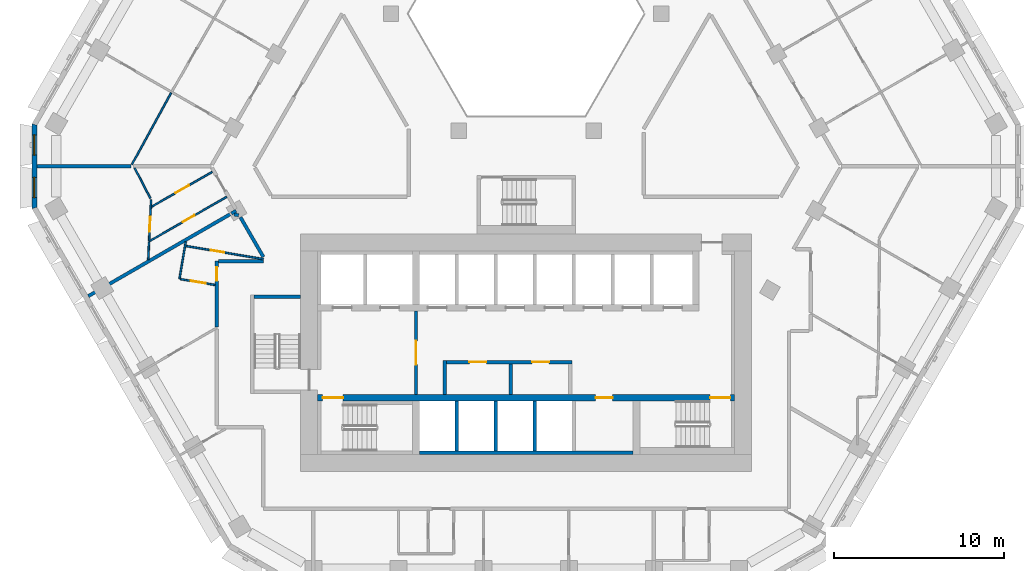
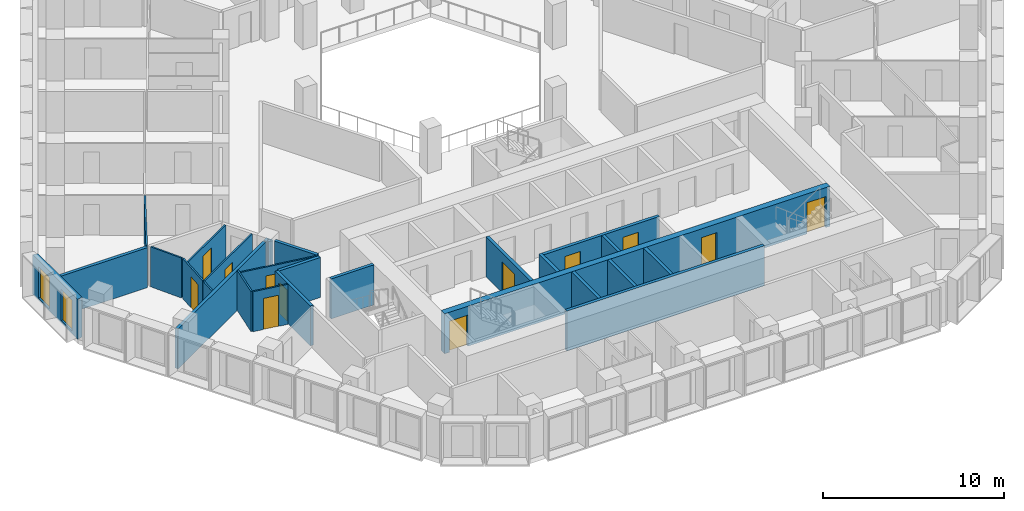
# One storey, part 4 of 18: 27 walls, 12 doors, 2 windows, 14 openings.
"""IFC4 building model written with IfcOpenShell, lengths in metres."""

from ifc_helpers import new_model, si_unit, direction, frame, frame_2d, origin, place, context, subcontext, project, spatial, polyline, rectangle, outline, extrude, material, layer, layer_set, type_object, element, fill, save


model = new_model("IFC4")

# Units and contexts
model_context = context("Model", 3, precision=1e-05, world=origin(), true_north=direction((0.0, 1.0)))
body_context = subcontext(model_context, "Body", "Model", "MODEL_VIEW")
ifc_project = project(units=[si_unit("LENGTHUNIT", "METRE"), si_unit("AREAUNIT", "SQUARE_METRE"), si_unit("VOLUMEUNIT", "CUBIC_METRE"), si_unit("PLANEANGLEUNIT", "RADIAN"), si_unit("MASSUNIT", "GRAM", prefix="KILO")], contexts=[model_context])

# Site, building, storey
site_placement = place(None, origin())
site = spatial("IfcSite", under=ifc_project, at=site_placement, CompositionType="ELEMENT")
building_placement = place(site_placement, origin())
building = spatial("IfcBuilding", under=site, at=building_placement, Name="Beryl Residences", CompositionType="ELEMENT")
storey_placement = place(building_placement, frame((0.0, 0.0, 99.0)))
storey = spatial("IfcBuildingStorey", under=building, at=storey_placement, Name="L30", CompositionType="ELEMENT", Elevation=99.0)

# Wall, openings, windows
ifc_material_1 = material(Name="Composite metal panel with mineral wool insulation")
ifc_layer_1 = layer(ifc_material_1, 0.300048828125)
ifc_layer_set_1 = layer_set([ifc_layer_1], Name="ES1 pale metal composite panel wall 300 mm")
wall_type_1 = type_object("IfcWallType", Name="ES1 pale metal composite panel wall 300 mm", PredefinedType="SOLIDWALL", material=ifc_layer_set_1)
wall_1_placement = place(storey_placement, frame((-29.007080078125, 1.5, 0.0), z_axis=(0.0, 0.0, 1.0), x_axis=(0.0, -1.0, 0.0)))
wall_1 = element("IfcWall", 1, at=wall_1_placement, inside=storey, type_object=wall_type_1, Name="ES1 external wall L30 NW-SW", PredefinedType="SOLIDWALL", context=body_context, shape_type="SweptSolid", body=[
    extrude(outline(polyline([(0.0, -0.14990234375), (5.0, -0.14990234375), (4.919677734375, 0.14990234375), (0.080322265625, 0.14990234375), (0.0, -0.14990234375)])), origin(), (0.0, 0.0, 1.0), 2.699951171875),
])
opening_1_placement = place(wall_1_placement, frame((0.64990234375, 0.0, 0.14990234375)))
opening_1 = element("IfcOpeningElement", 2, at=opening_1_placement, cuts=wall_1, Name="Opening W2", PredefinedType="OPENING", context=body_context, shape_type="SweptSolid", body=[
    extrude(rectangle(XDim=1.199951171875, YDim=2.10009765625, at=frame_2d((0.60009765625, 1.050048828125))), frame((0.0, 0.159912109375, 0.0), z_axis=(0.0, -1.0, 0.0), x_axis=(1.0, 0.0, 0.0)), (0.0, 0.0, 1.0), 0.320068359375),
])
opening_2_placement = place(wall_1_placement, frame((3.14990234375, 0.0, 0.14990234375)))
opening_2 = element("IfcOpeningElement", 3, at=opening_2_placement, cuts=wall_1, Name="Opening W2", PredefinedType="OPENING", context=body_context, shape_type="SweptSolid", body=[
    extrude(rectangle(XDim=1.199951171875, YDim=2.10009765625, at=frame_2d((0.60009765625, 1.050048828125))), frame((0.0, 0.159912109375, 0.0), z_axis=(0.0, -1.0, 0.0), x_axis=(1.0, 0.0, 0.0)), (0.0, 0.0, 1.0), 0.320068359375),
])
ifc_material_2 = material(Name="Aluminium and clear glass", Category="aluminium")
window_type = type_object("IfcWindowType", Name="W2 chamfer window 1200 x 2100 mm", PartitioningType="SINGLE_PANEL", PredefinedType="WINDOW", material=ifc_material_2)
window_1_placement = place(opening_1_placement, origin())
window_1 = element("IfcWindow", 4, at=window_1_placement, inside=storey, type_object=window_type, Name="W2 window L30 NW-SW 1", OverallHeight=2.10009765625, OverallWidth=1.199951171875, PartitioningType="SINGLE_PANEL", PredefinedType="WINDOW", context=body_context, shape_type="SweptSolid", body=[
    extrude(rectangle(XDim=1.199951171875, YDim=2.10009765625, at=frame_2d((0.60009765625, 1.050048828125))), frame((0.0, 0.030029296875, 0.0), z_axis=(0.0, -1.0, 0.0), x_axis=(1.0, 0.0, 0.0)), (0.0, 0.0, 1.0), 0.06005859375),
])
fill(opening_1, window_1)
window_2_placement = place(opening_2_placement, origin())
window_2 = element("IfcWindow", 5, at=window_2_placement, inside=storey, type_object=window_type, Name="W2 window L30 NW-SW 2", OverallHeight=2.10009765625, OverallWidth=1.199951171875, PartitioningType="SINGLE_PANEL", PredefinedType="WINDOW", context=body_context, shape_type="SweptSolid", body=[
    extrude(rectangle(XDim=1.199951171875, YDim=2.10009765625, at=frame_2d((0.60009765625, 1.050048828125))), frame((0.0, 0.030029296875, 0.0), z_axis=(0.0, -1.0, 0.0), x_axis=(1.0, 0.0, 0.0)), (0.0, 0.0, 1.0), 0.06005859375),
])
fill(opening_2, window_2)

# Wall
ifc_material_3 = material(Name="Gypsum board partition on steel studs", Category="steel")
ifc_layer_2 = layer(ifc_material_3, 0.10009765625)
ifc_layer_set_2 = layer_set([ifc_layer_2], Name="PT1 partition 100 mm gypsum board on steel studs")
wall_type_2 = type_object("IfcWallType", Name="PT1 partition 100 mm gypsum board on steel studs", PredefinedType="PARTITIONING", material=ifc_layer_set_2)
wall_2_placement = place(storey_placement, frame((-23.093017578125, -1.10107421875, 0.0), z_axis=(0.0, 0.0, 1.0), x_axis=(0.459171814268, -0.888347479865, 0.0)))
element("IfcWall", 6, at=wall_2_placement, inside=storey, type_object=wall_type_2, Name="Wall PT1 L30 006", PredefinedType="PARTITIONING", context=body_context, shape_type="SweptSolid", body=[
    extrude(rectangle(XDim=2.01025390625, YDim=0.10009765625, at=frame_2d((1.005126953125, 0.0))), origin(), (0.0, 0.0, 1.0), 2.699951171875),
])

# Wall, opening, door
wall_3_placement = place(storey_placement, frame((-20.071044921875, -5.7041015625, 0.0), z_axis=(0.0, 0.0, 1.0), x_axis=(0.985933263306, -0.16713946364, 0.0)))
wall_3 = element("IfcWall", 7, at=wall_3_placement, inside=storey, type_object=wall_type_2, Name="Wall PT1 L30 013", PredefinedType="PARTITIONING", context=body_context, shape_type="SweptSolid", body=[
    extrude(rectangle(XDim=4.63623046875, YDim=0.10009765625, at=frame_2d((2.318115234375, 0.0))), origin(), (0.0, 0.0, 1.0), 2.699951171875),
])
opening_3_placement = place(wall_3_placement, frame((1.492919921875, 0.0, 0.0)))
opening_3 = element("IfcOpeningElement", 8, at=opening_3_placement, cuts=wall_3, Name="Opening D0702", PredefinedType="OPENING", context=body_context, shape_type="SweptSolid", body=[
    extrude(rectangle(XDim=0.800048828125, YDim=2.10009765625, at=frame_2d((0.39990234375, 1.050048828125))), frame((0.0, 0.06005859375, 0.0), z_axis=(0.0, -1.0, 0.0), x_axis=(1.0, 0.0, 0.0)), (0.0, 0.0, 1.0), 0.1201171875),
])
ifc_material_4 = material(Name="Timber door leaf", Category="wood")
door_type_1 = type_object("IfcDoorType", Name="D3 bathroom door 800 x 2100 mm", OperationType="SINGLE_SWING_LEFT", PredefinedType="DOOR", material=ifc_material_4)
door_1_placement = place(opening_3_placement, origin())
door_1 = element("IfcDoor", 9, at=door_1_placement, inside=storey, type_object=door_type_1, Name="Door D0702 L30 001", OperationType="SINGLE_SWING_RIGHT", OverallHeight=2.10009765625, OverallWidth=0.800048828125, PredefinedType="DOOR", context=body_context, shape_type="SweptSolid", body=[
    extrude(rectangle(XDim=0.800048828125, YDim=2.10009765625, at=frame_2d((0.39990234375, 1.050048828125))), frame((0.0, 0.02490234375, 0.0), z_axis=(0.0, -1.0, 0.0), x_axis=(1.0, 0.0, 0.0)), (0.0, 0.0, 1.0), 0.050048828125),
])
fill(opening_3, door_1)

wall_4_placement = place(storey_placement, frame((-20.40087890625, -7.656982421875, 0.0), z_axis=(0.0, 0.0, 1.0), x_axis=(0.985991281902, -0.166796858522, 0.0)))
wall_4 = element("IfcWall", 10, at=wall_4_placement, inside=storey, type_object=wall_type_2, Name="Wall PT1 L30 014", PredefinedType="PARTITIONING", context=body_context, shape_type="SweptSolid", body=[
    extrude(rectangle(XDim=2.079833984375, YDim=0.10009765625, at=frame_2d((1.0400390625, 0.0))), origin(), (0.0, 0.0, 1.0), 2.699951171875),
])
opening_4_placement = place(wall_4_placement, frame((0.615966796875, 0.0, 0.0)))
opening_4 = element("IfcOpeningElement", 11, at=opening_4_placement, cuts=wall_4, Name="Opening D0703", PredefinedType="OPENING", context=body_context, shape_type="SweptSolid", body=[
    extrude(rectangle(XDim=0.89990234375, YDim=2.10009765625, at=frame_2d((0.449951171875, 1.050048828125))), frame((0.0, 0.06005859375, 0.0), z_axis=(0.0, -1.0, 0.0), x_axis=(1.0, 0.0, 0.0)), (0.0, 0.0, 1.0), 0.1201171875),
])
ifc_material_5 = material(Name="Timber door leaf", Category="wood")
door_type_2 = type_object("IfcDoorType", Name="D2 room door 900 x 2100 mm", OperationType="SINGLE_SWING_LEFT", PredefinedType="DOOR", material=ifc_material_5)
door_2_placement = place(opening_4_placement, origin())
door_2 = element("IfcDoor", 12, at=door_2_placement, inside=storey, type_object=door_type_2, Name="Door D0703 L30 001", OperationType="SINGLE_SWING_LEFT", OverallHeight=2.10009765625, OverallWidth=0.89990234375, PredefinedType="DOOR", context=body_context, shape_type="SweptSolid", body=[
    extrude(rectangle(XDim=0.89990234375, YDim=2.10009765625, at=frame_2d((0.449951171875, 1.050048828125))), frame((0.0, 0.02490234375, 0.0), z_axis=(0.0, -1.0, 0.0), x_axis=(1.0, 0.0, 0.0)), (0.0, 0.0, 1.0), 0.050048828125),
])
fill(opening_4, door_2)

# Walls
wall_5_placement = place(storey_placement, frame((-23.260986328125, -0.90087890625, 0.0), z_axis=(0.0, 0.0, 1.0), x_axis=(0.481037050261, 0.876700265927, 0.0)))
element("IfcWall", 13, at=wall_5_placement, inside=storey, type_object=wall_type_2, Name="Wall PT1 L30 034", PredefinedType="PARTITIONING", context=body_context, shape_type="SweptSolid", body=[
    extrude(rectangle(XDim=4.8271484375, YDim=0.10009765625, at=frame_2d((2.41357421875, 0.0))), origin(), (0.0, 0.0, 1.0), 2.699951171875),
])
wall_6_placement = place(storey_placement, frame((-20.450927734375, -7.64697265625, 0.0), z_axis=(0.0, 0.0, 1.0), x_axis=(0.167037570483, 0.985950531237, 0.0)))
element("IfcWall", 14, at=wall_6_placement, inside=storey, type_object=wall_type_2, Name="Wall PT1 L30 035", PredefinedType="PARTITIONING", context=body_context, shape_type="SweptSolid", body=[
    extrude(rectangle(XDim=2.22021484375, YDim=0.10009765625, at=frame_2d((1.110107421875, 0.0))), origin(), (0.0, 0.0, 1.0), 2.699951171875),
])

# Wall, opening, door
wall_7_placement = place(storey_placement, frame((-22.242919921875, -5.39501953125, 0.0), z_axis=(0.0, 0.0, 1.0), x_axis=(0.049092933256, 0.998794214993, 0.0)))
wall_7 = element("IfcWall", 15, at=wall_7_placement, inside=storey, type_object=wall_type_2, Name="Wall PT1 L30 037", PredefinedType="PARTITIONING", context=body_context, shape_type="SweptSolid", body=[
    extrude(rectangle(XDim=2.421875, YDim=0.10009765625, at=frame_2d((1.2109375, 0.0))), origin(), (0.0, 0.0, 1.0), 2.699951171875),
])
opening_5_placement = place(wall_7_placement, frame((0.52197265625, 0.0, 0.0)))
opening_5 = element("IfcOpeningElement", 16, at=opening_5_placement, cuts=wall_7, Name="Opening D0758", PredefinedType="OPENING", context=body_context, shape_type="SweptSolid", body=[
    extrude(rectangle(XDim=0.89990234375, YDim=2.10009765625, at=frame_2d((0.449951171875, 1.050048828125))), frame((0.0, 0.06005859375, 0.0), z_axis=(0.0, -1.0, 0.0), x_axis=(1.0, 0.0, 0.0)), (0.0, 0.0, 1.0), 0.1201171875),
])
door_3_placement = place(opening_5_placement, origin())
door_3 = element("IfcDoor", 17, at=door_3_placement, inside=storey, type_object=door_type_2, Name="Door D0758 L30 001", OperationType="SINGLE_SWING_RIGHT", OverallHeight=2.10009765625, OverallWidth=0.89990234375, PredefinedType="DOOR", context=body_context, shape_type="SweptSolid", body=[
    extrude(rectangle(XDim=0.89990234375, YDim=2.10009765625, at=frame_2d((0.449951171875, 1.050048828125))), frame((0.0, 0.02490234375, 0.0), z_axis=(0.0, -1.0, 0.0), x_axis=(1.0, 0.0, 0.0)), (0.0, 0.0, 1.0), 0.050048828125),
])
fill(opening_5, door_3)

# Wall
wall_8_placement = place(storey_placement, frame((-22.2919921875, -6.50390625, 0.0), z_axis=(0.0, 0.0, 1.0), x_axis=(0.04434829575, 0.999016130332, 0.0)))
element("IfcWall", 18, at=wall_8_placement, inside=storey, type_object=wall_type_2, Name="Wall PT1 L30 038", PredefinedType="PARTITIONING", context=body_context, shape_type="SweptSolid", body=[
    extrude(rectangle(XDim=1.034912109375, YDim=0.10009765625, at=frame_2d((0.517578125, 0.0))), origin(), (0.0, 0.0, 1.0), 2.699951171875),
])

# Wall, opening, door
wall_9_placement = place(storey_placement, frame((-22.2451171875, -5.43505859375, 0.0), z_axis=(0.0, 0.0, 1.0), x_axis=(0.867311485465, 0.497765795511, 0.0)))
wall_9 = element("IfcWall", 19, at=wall_9_placement, inside=storey, type_object=wall_type_2, Name="Wall PT1 L30 055", PredefinedType="PARTITIONING", context=body_context, shape_type="SweptSolid", body=[
    extrude(rectangle(XDim=5.281982421875, YDim=0.10009765625, at=frame_2d((2.64111328125, 0.0))), origin(), (0.0, 0.0, 1.0), 2.699951171875),
])
opening_6_placement = place(wall_9_placement, frame((2.291015625, 0.0, 0.0)))
opening_6 = element("IfcOpeningElement", 20, at=opening_6_placement, cuts=wall_9, Name="Opening D0756", PredefinedType="OPENING", context=body_context, shape_type="SweptSolid", body=[
    extrude(rectangle(XDim=0.800048828125, YDim=2.10009765625, at=frame_2d((0.39990234375, 1.050048828125))), frame((0.0, 0.06005859375, 0.0), z_axis=(0.0, -1.0, 0.0), x_axis=(1.0, 0.0, 0.0)), (0.0, 0.0, 1.0), 0.1201171875),
])
door_4_placement = place(opening_6_placement, origin())
door_4 = element("IfcDoor", 21, at=door_4_placement, inside=storey, type_object=door_type_1, Name="Door D0756 L30 001", OperationType="SINGLE_SWING_RIGHT", OverallHeight=2.10009765625, OverallWidth=0.800048828125, PredefinedType="DOOR", context=body_context, shape_type="SweptSolid", body=[
    extrude(rectangle(XDim=0.800048828125, YDim=2.10009765625, at=frame_2d((0.39990234375, 1.050048828125))), frame((0.0, 0.02490234375, 0.0), z_axis=(0.0, -1.0, 0.0), x_axis=(1.0, 0.0, 0.0)), (0.0, 0.0, 1.0), 0.050048828125),
])
fill(opening_6, door_4)

wall_10_placement = place(storey_placement, frame((-22.093994140625, -3.387939453125, 0.0), z_axis=(0.0, 0.0, 1.0), x_axis=(0.867386440944, 0.497635169644, 0.0)))
wall_10 = element("IfcWall", 22, at=wall_10_placement, inside=storey, type_object=wall_type_2, Name="Wall PT1 L30 057", PredefinedType="PARTITIONING", context=body_context, shape_type="SweptSolid", body=[
    extrude(rectangle(XDim=4.12744140625, YDim=0.10009765625, at=frame_2d((2.063720703125, 0.0))), origin(), (0.0, 0.0, 1.0), 2.699951171875),
])
opening_7_placement = place(wall_10_placement, frame((1.634033203125, 0.0, 0.0)))
opening_7 = element("IfcOpeningElement", 23, at=opening_7_placement, cuts=wall_10, Name="Opening D0757", PredefinedType="OPENING", context=body_context, shape_type="SweptSolid", body=[
    extrude(rectangle(XDim=0.89990234375, YDim=2.10009765625, at=frame_2d((0.449951171875, 1.050048828125))), frame((0.0, 0.06005859375, 0.0), z_axis=(0.0, -1.0, 0.0), x_axis=(1.0, 0.0, 0.0)), (0.0, 0.0, 1.0), 0.1201171875),
])
door_5_placement = place(opening_7_placement, origin())
door_5 = element("IfcDoor", 24, at=door_5_placement, inside=storey, type_object=door_type_2, Name="Door D0757 L30 001", OperationType="SINGLE_SWING_LEFT", OverallHeight=2.10009765625, OverallWidth=0.89990234375, PredefinedType="DOOR", context=body_context, shape_type="SweptSolid", body=[
    extrude(rectangle(XDim=0.89990234375, YDim=2.10009765625, at=frame_2d((0.449951171875, 1.050048828125))), frame((0.0, 0.02490234375, 0.0), z_axis=(0.0, -1.0, 0.0), x_axis=(1.0, 0.0, 0.0)), (0.0, 0.0, 1.0), 0.050048828125),
])
fill(opening_7, door_5)

ifc_material_6 = material(Name="Concrete masonry", Category="masonry")
ifc_layer_3 = layer(ifc_material_6, 0.199951171875)
ifc_layer_set_3 = layer_set([ifc_layer_3], Name="PT13 lobby wall 200 mm")
wall_type_3 = type_object("IfcWallType", Name="PT13 lobby wall 200 mm", PredefinedType="PARTITIONING", material=ifc_layer_set_3)
wall_11_placement = place(storey_placement, frame((-6.5, -14.449951171875, 0.0), z_axis=(0.0, 0.0, 1.0), x_axis=(0.0, 1.0, 0.0)))
wall_11 = element("IfcWall", 25, at=wall_11_placement, inside=storey, type_object=wall_type_3, Name="Lobby wall 11", PredefinedType="PARTITIONING", context=body_context, shape_type="SweptSolid", body=[
    extrude(rectangle(XDim=4.89990234375, YDim=0.199951171875, at=frame_2d((2.449951171875, 0.0))), origin(), (0.0, 0.0, 1.0), 2.699951171875),
])
opening_8_placement = place(wall_11_placement, frame((3.14990234375, 0.0, 0.0), z_axis=(0.0, 0.0, 1.0), x_axis=(-1.0, 0.0, 0.0)))
opening_8 = element("IfcOpeningElement", 26, at=opening_8_placement, cuts=wall_11, Name="Opening FD-FFL", PredefinedType="OPENING", context=body_context, shape_type="SweptSolid", body=[
    extrude(rectangle(XDim=1.39990234375, YDim=2.10009765625, at=frame_2d((0.699951171875, 1.050048828125))), frame((0.0, 0.10986328125, 0.0), z_axis=(0.0, -1.0, 0.0), x_axis=(1.0, 0.0, 0.0)), (0.0, 0.0, 1.0), 0.219970703125),
])
ifc_material_7 = material(Name="Steel door leaf in steel frame", Category="steel")
door_type_3 = type_object("IfcDoorType", Name="D5 lobby door 1400 x 2100 mm", OperationType="DOUBLE_DOOR_SINGLE_SWING", PredefinedType="DOOR", material=ifc_material_7)
door_6_placement = place(opening_8_placement, origin())
door_6 = element("IfcDoor", 27, at=door_6_placement, inside=storey, type_object=door_type_3, Name="Door FD-FFL L30 001", OperationType="DOUBLE_DOOR_SINGLE_SWING", OverallHeight=2.10009765625, OverallWidth=1.39990234375, PredefinedType="DOOR", context=body_context, shape_type="SweptSolid", body=[
    extrude(rectangle(XDim=1.39990234375, YDim=2.10009765625, at=frame_2d((0.699951171875, 1.050048828125))), frame((0.0, 0.02490234375, 0.0), z_axis=(0.0, -1.0, 0.0), x_axis=(1.0, 0.0, 0.0)), (0.0, 0.0, 1.0), 0.050048828125),
])
fill(opening_8, door_6)

# Wall
wall_12_placement = place(storey_placement, frame((-4.800048828125, -14.449951171875, 0.0), z_axis=(0.0, 0.0, 1.0), x_axis=(0.0, 1.0, 0.0)))
element("IfcWall", 28, at=wall_12_placement, inside=storey, type_object=wall_type_3, Name="Lobby wall 14", PredefinedType="PARTITIONING", context=body_context, shape_type="SweptSolid", body=[
    extrude(rectangle(XDim=2.0, YDim=0.199951171875, at=frame_2d((1.0, 0.0))), origin(), (0.0, 0.0, 1.0), 2.699951171875),
])

# Wall, openings, doors
wall_13_placement = place(storey_placement, frame((-4.699951171875, -12.550048828125, 0.0), z_axis=(0.0, 0.0, 1.0), x_axis=(1.0, 0.0, 0.0)))
wall_13 = element("IfcWall", 29, at=wall_13_placement, inside=storey, type_object=wall_type_3, Name="Lobby wall 15", PredefinedType="PARTITIONING", context=body_context, shape_type="SweptSolid", body=[
    extrude(rectangle(XDim=7.39990234375, YDim=0.199951171875, at=frame_2d((3.699951171875, 0.0))), origin(), (0.0, 0.0, 1.0), 2.699951171875),
])
opening_9_placement = place(wall_13_placement, frame((2.35009765625, 0.0, 0.0), z_axis=(0.0, 0.0, 1.0), x_axis=(-1.0, 0.0, 0.0)))
opening_9 = element("IfcOpeningElement", 30, at=opening_9_placement, cuts=wall_13, Name="Opening CD-D-A1", PredefinedType="OPENING", context=body_context, shape_type="SweptSolid", body=[
    extrude(rectangle(XDim=1.0, YDim=2.10009765625, at=frame_2d((0.5, 1.050048828125))), frame((0.0, 0.10986328125, 0.0), z_axis=(0.0, -1.0, 0.0), x_axis=(1.0, 0.0, 0.0)), (0.0, 0.0, 1.0), 0.219970703125),
])
opening_10_placement = place(wall_13_placement, frame((6.050048828125, 0.0, 0.0), z_axis=(0.0, 0.0, 1.0), x_axis=(-1.0, 0.0, 0.0)))
opening_10 = element("IfcOpeningElement", 31, at=opening_10_placement, cuts=wall_13, Name="Opening CD-D-A2", PredefinedType="OPENING", context=body_context, shape_type="SweptSolid", body=[
    extrude(rectangle(XDim=1.0, YDim=2.10009765625, at=frame_2d((0.5, 1.050048828125))), frame((0.0, 0.10986328125, 0.0), z_axis=(0.0, -1.0, 0.0), x_axis=(1.0, 0.0, 0.0)), (0.0, 0.0, 1.0), 0.219970703125),
])
ifc_material_8 = material(Name="Steel door leaf in steel frame", Category="steel")
door_type_4 = type_object("IfcDoorType", Name="D18 service room door 1000 x 2100 mm", OperationType="SINGLE_SWING_LEFT", PredefinedType="DOOR", material=ifc_material_8)
door_7_placement = place(opening_9_placement, origin())
door_7 = element("IfcDoor", 32, at=door_7_placement, inside=storey, type_object=door_type_4, Name="Door CD-D-A1 L30 001", OperationType="SINGLE_SWING_RIGHT", OverallHeight=2.10009765625, OverallWidth=1.0, PredefinedType="DOOR", context=body_context, shape_type="SweptSolid", body=[
    extrude(rectangle(XDim=1.0, YDim=2.10009765625, at=frame_2d((0.5, 1.050048828125))), frame((0.0, 0.02490234375, 0.0), z_axis=(0.0, -1.0, 0.0), x_axis=(1.0, 0.0, 0.0)), (0.0, 0.0, 1.0), 0.050048828125),
])
fill(opening_9, door_7)
door_8_placement = place(opening_10_placement, origin())
door_8 = element("IfcDoor", 33, at=door_8_placement, inside=storey, type_object=door_type_4, Name="Door CD-D-A2 L30 001", OperationType="SINGLE_SWING_LEFT", OverallHeight=2.10009765625, OverallWidth=1.0, PredefinedType="DOOR", context=body_context, shape_type="SweptSolid", body=[
    extrude(rectangle(XDim=1.0, YDim=2.10009765625, at=frame_2d((0.5, 1.050048828125))), frame((0.0, 0.02490234375, 0.0), z_axis=(0.0, -1.0, 0.0), x_axis=(1.0, 0.0, 0.0)), (0.0, 0.0, 1.0), 0.050048828125),
])
fill(opening_10, door_8)

# Walls
ifc_material_9 = material(Name="Acoustic double stud gypsum board wall")
ifc_layer_4 = layer(ifc_material_9, 0.199951171875)
ifc_layer_set_4 = layer_set([ifc_layer_4], Name="PT3 party wall 200 mm acoustic double stud")
wall_type_4 = type_object("IfcWallType", Name="PT3 party wall 200 mm acoustic double stud", PredefinedType="PARTITIONING", material=ifc_layer_set_4)
wall_14_placement = place(storey_placement, frame((-17.22412109375, -3.843994140625, 0.0), z_axis=(0.0, 0.0, 1.0), x_axis=(0.986049492372, -0.166452391373, 0.0)))
element("IfcWall", 34, at=wall_14_placement, inside=storey, type_object=wall_type_4, Name="Wall PT3 L30 004", PredefinedType="PARTITIONING", context=body_context, shape_type="SweptSolid", body=[
    extrude(rectangle(XDim=0.269775390625, YDim=0.199951171875, at=frame_2d((0.134765625, 0.0))), origin(), (0.0, 0.0, 1.0), 2.699951171875),
])
wall_15_placement = place(storey_placement, frame((-28.85693359375, -1.0009765625, 0.0), z_axis=(0.0, 0.0, 1.0), x_axis=(1.0, 0.0, 0.0)))
element("IfcWall", 35, at=wall_15_placement, inside=storey, type_object=wall_type_4, Name="Wall PT3 L30 008", PredefinedType="PARTITIONING", context=body_context, shape_type="SweptSolid", body=[
    extrude(rectangle(XDim=5.541015625, YDim=0.199951171875, at=frame_2d((2.7705078125, 0.0))), origin(), (0.0, 0.0, 1.0), 2.699951171875),
])
wall_16_placement = place(storey_placement, frame((-25.830078125, -8.662109375, 0.0), z_axis=(0.0, 0.0, 1.0), x_axis=(0.866026801646, 0.499997578825, 0.0)))
element("IfcWall", 36, at=wall_16_placement, inside=storey, type_object=wall_type_4, Name="Wall PT3 L30 017", PredefinedType="PARTITIONING", context=body_context, shape_type="SweptSolid", body=[
    extrude(rectangle(XDim=9.7041015625, YDim=0.199951171875, at=frame_2d((4.85205078125, 0.0))), origin(), (0.0, 0.0, 1.0), 2.699951171875),
])
wall_17_placement = place(storey_placement, frame((-17.385009765625, -3.785888671875, 0.0), z_axis=(0.0, 0.0, 1.0), x_axis=(0.86668269741, 0.498859801958, 0.0)))
element("IfcWall", 37, at=wall_17_placement, inside=storey, type_object=wall_type_4, Name="Wall PT3 L30 018", PredefinedType="PARTITIONING", context=body_context, shape_type="SweptSolid", body=[
    extrude(rectangle(XDim=0.318603515625, YDim=0.199951171875, at=frame_2d((0.1591796875, 0.0))), origin(), (0.0, 0.0, 1.0), 2.699951171875),
])
ifc_material_10 = material(Name="Double stud gypsum board wall")
ifc_layer_5 = layer(ifc_material_10, 0.199951171875)
ifc_layer_set_5 = layer_set([ifc_layer_5], Name="PT4 corridor wall 200 mm double stud")
wall_type_5 = type_object("IfcWallType", Name="PT4 corridor wall 200 mm double stud", PredefinedType="PARTITIONING", material=ifc_layer_set_5)
wall_18_placement = place(storey_placement, frame((-16.85498046875, -4.008056640625, 0.0), z_axis=(0.0, 0.0, 1.0), x_axis=(0.500151474942, -0.865937932021, 0.0)))
element("IfcWall", 38, at=wall_18_placement, inside=storey, type_object=wall_type_5, Name="Wall PT4 L30 004", PredefinedType="PARTITIONING", context=body_context, shape_type="SweptSolid", body=[
    extrude(rectangle(XDim=2.709228515625, YDim=0.199951171875, at=frame_2d((1.3544921875, 0.0))), origin(), (0.0, 0.0, 1.0), 2.699951171875),
])
wall_19_placement = place(storey_placement, frame((-18.14990234375, -6.60009765625, 0.0), z_axis=(0.0, 0.0, 1.0), x_axis=(1.0, 0.0, 0.0)))
element("IfcWall", 39, at=wall_19_placement, inside=storey, type_object=wall_type_5, Name="Wall PT4 L30 013", PredefinedType="PARTITIONING", context=body_context, shape_type="SweptSolid", body=[
    extrude(rectangle(XDim=2.64892578125, YDim=0.199951171875, at=frame_2d((1.324462890625, 0.0))), origin(), (0.0, 0.0, 1.0), 2.699951171875),
])

# Wall, opening, door
wall_20_placement = place(storey_placement, frame((-18.25, -10.47900390625, 0.0), z_axis=(0.0, 0.0, 1.0), x_axis=(0.0, 1.0, 0.0)))
wall_20 = element("IfcWall", 40, at=wall_20_placement, inside=storey, type_object=wall_type_5, Name="Wall PT4 L30 033", PredefinedType="PARTITIONING", context=body_context, shape_type="SweptSolid", body=[
    extrude(rectangle(XDim=3.87890625, YDim=0.199951171875, at=frame_2d((1.939453125, 0.0))), origin(), (0.0, 0.0, 1.0), 2.699951171875),
])
opening_11_placement = place(wall_20_placement, frame((2.72412109375, 0.0, 0.0)))
opening_11 = element("IfcOpeningElement", 41, at=opening_11_placement, cuts=wall_20, Name="Opening D0701", PredefinedType="OPENING", context=body_context, shape_type="SweptSolid", body=[
    extrude(rectangle(XDim=0.800048828125, YDim=2.10009765625, at=frame_2d((0.39990234375, 1.050048828125))), frame((0.0, 0.10986328125, 0.0), z_axis=(0.0, -1.0, 0.0), x_axis=(1.0, 0.0, 0.0)), (0.0, 0.0, 1.0), 0.219970703125),
])
ifc_material_11 = material(Name="Timber door leaf", Category="wood")
door_type_5 = type_object("IfcDoorType", Name="D12 flat entrance door 800 x 2100 mm", OperationType="SINGLE_SWING_LEFT", PredefinedType="DOOR", material=ifc_material_11)
door_9_placement = place(opening_11_placement, origin())
door_9 = element("IfcDoor", 42, at=door_9_placement, inside=storey, type_object=door_type_5, Name="Door D0701 L30 001", OperationType="SINGLE_SWING_LEFT", OverallHeight=2.10009765625, OverallWidth=0.800048828125, PredefinedType="DOOR", context=body_context, shape_type="SweptSolid", body=[
    extrude(rectangle(XDim=0.800048828125, YDim=2.10009765625, at=frame_2d((0.39990234375, 1.050048828125))), frame((0.0, 0.02490234375, 0.0), z_axis=(0.0, -1.0, 0.0), x_axis=(1.0, 0.0, 0.0)), (0.0, 0.0, 1.0), 0.050048828125),
])
fill(opening_11, door_9)

# Walls
ifc_material_12 = material(Name="Concrete C40/50", Category="concrete")
ifc_layer_6 = layer(ifc_material_12, 0.199951171875)
ifc_layer_set_6 = layer_set([ifc_layer_6], Name="PT5 stair enclosure wall 200 mm reinforced concrete C40/50")
wall_type_6 = type_object("IfcWallType", Name="PT5 stair enclosure wall 200 mm reinforced concrete C40/50", PredefinedType="SOLIDWALL", material=ifc_layer_set_6)
wall_21_placement = place(storey_placement, frame((-16.050048828125, -8.699951171875, 0.0), z_axis=(0.0, 0.0, 1.0), x_axis=(1.0, 0.0, 0.0)))
element("IfcWall", 43, at=wall_21_placement, inside=storey, type_object=wall_type_6, Name="Stair wall 03", PredefinedType="SOLIDWALL", context=body_context, shape_type="SweptSolid", body=[
    extrude(rectangle(XDim=2.75, YDim=0.199951171875, at=frame_2d((1.375, 0.0))), origin(), (0.0, 0.0, 1.0), 2.699951171875),
])
ifc_material_13 = material(Name="Concrete C40/50", Category="concrete")
ifc_layer_7 = layer(ifc_material_13, 0.199951171875)
ifc_layer_set_7 = layer_set([ifc_layer_7], Name="PT6 lift shaft wall 200 mm reinforced concrete C40/50")
wall_type_7 = type_object("IfcWallType", Name="PT6 lift shaft wall 200 mm reinforced concrete C40/50", PredefinedType="SOLIDWALL", material=ifc_layer_set_7)
wall_22_placement = place(storey_placement, frame((-6.300048828125, -17.89990234375, 0.0), z_axis=(0.0, 0.0, 1.0), x_axis=(1.0, 0.0, 0.0)))
element("IfcWall", 44, at=wall_22_placement, inside=storey, type_object=wall_type_7, Name="Lift shaft wall 12", PredefinedType="SOLIDWALL", context=body_context, shape_type="SweptSolid", body=[
    extrude(rectangle(XDim=12.60009765625, YDim=0.199951171875, at=frame_2d((6.300048828125, 0.0))), origin(), (0.0, 0.0, 1.0), 2.699951171875),
])
for number, where, z_axis, x_axis, name in (
    (45, (-4.10009765625, -17.800048828125, 0.0), (0.0, 0.0, 1.0), (0.0, 1.0, 0.0), "Lift shaft wall 16"),
    (46, (-1.800048828125, -17.800048828125, 0.0), (0.0, 0.0, 1.0), (0.0, 1.0, 0.0), "Lift shaft wall 18"),
    (47, (0.5, -17.800048828125, 0.0), (0.0, 0.0, 1.0), (0.0, 1.0, 0.0), "Lift shaft wall 21"),
):
    element("IfcWall", number, at=place(storey_placement, frame(where, z_axis=z_axis, x_axis=x_axis)), inside=storey, type_object=wall_type_7, Name=name, PredefinedType="SOLIDWALL", context=body_context, shape_type="SweptSolid", body=[
        extrude(rectangle(XDim=2.949951171875, YDim=0.199951171875, at=frame_2d((1.47509765625, 0.0))), origin(), (0.0, 0.0, 1.0), 2.699951171875),
    ])
ifc_material_14 = material(Name="Concrete masonry", Category="masonry")
ifc_layer_8 = layer(ifc_material_14, 0.199951171875)
ifc_layer_set_8 = layer_set([ifc_layer_8], Name="PT8-200 service room wall 200 mm")
wall_type_8 = type_object("IfcWallType", Name="PT8-200 service room wall 200 mm", PredefinedType="PARTITIONING", material=ifc_layer_set_8)
wall_23_placement = place(storey_placement, frame((-0.89990234375, -14.449951171875, 0.0), z_axis=(0.0, 0.0, 1.0), x_axis=(0.0, 1.0, 0.0)))
element("IfcWall", 48, at=wall_23_placement, inside=storey, type_object=wall_type_8, Name="Core room wall 20", PredefinedType="PARTITIONING", context=body_context, shape_type="SweptSolid", body=[
    extrude(rectangle(XDim=1.800048828125, YDim=0.199951171875, at=frame_2d((0.89990234375, 0.0))), origin(), (0.0, 0.0, 1.0), 2.699951171875),
])

# Wall, openings, doors
ifc_material_15 = material(Name="Concrete C70/85", Category="concrete")
ifc_layer_9 = layer(ifc_material_15, 0.39990234375)
ifc_layer_set_9 = layer_set([ifc_layer_9], Name="SW7 core internal wall 400 mm C70/85")
wall_type_9 = type_object("IfcWallType", Name="SW7 core internal wall 400 mm C70/85", PredefinedType="SHEAR", material=ifc_layer_set_9)
wall_24_placement = place(storey_placement, frame((-12.300048828125, -14.64990234375, 0.0), z_axis=(0.0, 0.0, 1.0), x_axis=(1.0, 0.0, 0.0)))
wall_24 = element("IfcWall", 49, at=wall_24_placement, inside=storey, type_object=wall_type_9, Name="Core wall SP1 L30", PredefinedType="SHEAR", context=body_context, shape_type="SweptSolid", body=[
    extrude(rectangle(XDim=24.60009765625, YDim=0.39990234375, at=frame_2d((12.300048828125, 0.0))), origin(), (0.0, 0.0, 1.0), 2.699951171875),
])
opening_12_placement = place(wall_24_placement, frame((1.5, 0.0, 0.0), z_axis=(0.0, 0.0, 1.0), x_axis=(-1.0, 0.0, 0.0)))
opening_12 = element("IfcOpeningElement", 50, at=opening_12_placement, cuts=wall_24, Name="Opening SD-1", PredefinedType="OPENING", context=body_context, shape_type="SweptSolid", body=[
    extrude(rectangle(XDim=1.199951171875, YDim=2.10009765625, at=frame_2d((0.60009765625, 1.050048828125))), frame((0.0, 0.2099609375, 0.0), z_axis=(0.0, -1.0, 0.0), x_axis=(1.0, 0.0, 0.0)), (0.0, 0.0, 1.0), 0.419921875),
])
opening_13_placement = place(wall_24_placement, frame((24.349853515625, 0.0, 0.0), z_axis=(0.0, 0.0, 1.0), x_axis=(-1.0, 0.0, 0.0)))
opening_13 = element("IfcOpeningElement", 51, at=opening_13_placement, cuts=wall_24, Name="Opening SD-3", PredefinedType="OPENING", context=body_context, shape_type="SweptSolid", body=[
    extrude(rectangle(XDim=1.199951171875, YDim=2.10009765625, at=frame_2d((0.60009765625, 1.050048828125))), frame((0.0, 0.2099609375, 0.0), z_axis=(0.0, -1.0, 0.0), x_axis=(1.0, 0.0, 0.0)), (0.0, 0.0, 1.0), 0.419921875),
])
opening_14_placement = place(wall_24_placement, frame((17.39990234375, 0.0, 0.0), z_axis=(0.0, 0.0, 1.0), x_axis=(-1.0, 0.0, 0.0)))
opening_14 = element("IfcOpeningElement", 52, at=opening_14_placement, cuts=wall_24, Name="Opening CD-D-S1", PredefinedType="OPENING", context=body_context, shape_type="SweptSolid", body=[
    extrude(rectangle(XDim=1.0, YDim=2.10009765625, at=frame_2d((0.5, 1.050048828125))), frame((0.0, 0.2099609375, 0.0), z_axis=(0.0, -1.0, 0.0), x_axis=(1.0, 0.0, 0.0)), (0.0, 0.0, 1.0), 0.419921875),
])
door_10_placement = place(opening_14_placement, origin())
door_10 = element("IfcDoor", 53, at=door_10_placement, inside=storey, type_object=door_type_4, Name="Door CD-D-S1 L30 001", OperationType="SINGLE_SWING_RIGHT", OverallHeight=2.10009765625, OverallWidth=1.0, PredefinedType="DOOR", context=body_context, shape_type="SweptSolid", body=[
    extrude(rectangle(XDim=1.0, YDim=2.10009765625, at=frame_2d((0.5, 1.050048828125))), frame((0.0, 0.02490234375, 0.0), z_axis=(0.0, -1.0, 0.0), x_axis=(1.0, 0.0, 0.0)), (0.0, 0.0, 1.0), 0.050048828125),
])
fill(opening_14, door_10)
ifc_material_16 = material(Name="Steel door leaf in steel frame", Category="steel")
door_type_6 = type_object("IfcDoorType", Name="D4 stair door 1200 x 2100 mm", OperationType="SINGLE_SWING_LEFT", PredefinedType="DOOR", material=ifc_material_16)
door_11_placement = place(opening_12_placement, origin())
door_11 = element("IfcDoor", 54, at=door_11_placement, inside=storey, type_object=door_type_6, Name="Door SD-1 L30 001", OperationType="SINGLE_SWING_RIGHT", OverallHeight=2.10009765625, OverallWidth=1.199951171875, PredefinedType="DOOR", context=body_context, shape_type="SweptSolid", body=[
    extrude(rectangle(XDim=1.199951171875, YDim=2.10009765625, at=frame_2d((0.60009765625, 1.050048828125))), frame((0.0, 0.02490234375, 0.0), z_axis=(0.0, -1.0, 0.0), x_axis=(1.0, 0.0, 0.0)), (0.0, 0.0, 1.0), 0.050048828125),
])
fill(opening_12, door_11)
door_12_placement = place(opening_13_placement, origin())
door_12 = element("IfcDoor", 55, at=door_12_placement, inside=storey, type_object=door_type_6, Name="Door SD-3 L30 001", OperationType="SINGLE_SWING_RIGHT", OverallHeight=2.10009765625, OverallWidth=1.199951171875, PredefinedType="DOOR", context=body_context, shape_type="SweptSolid", body=[
    extrude(rectangle(XDim=1.199951171875, YDim=2.10009765625, at=frame_2d((0.60009765625, 1.050048828125))), frame((0.0, 0.02490234375, 0.0), z_axis=(0.0, -1.0, 0.0), x_axis=(1.0, 0.0, 0.0)), (0.0, 0.0, 1.0), 0.050048828125),
])
fill(opening_13, door_12)

save(model, "model.ifc")
